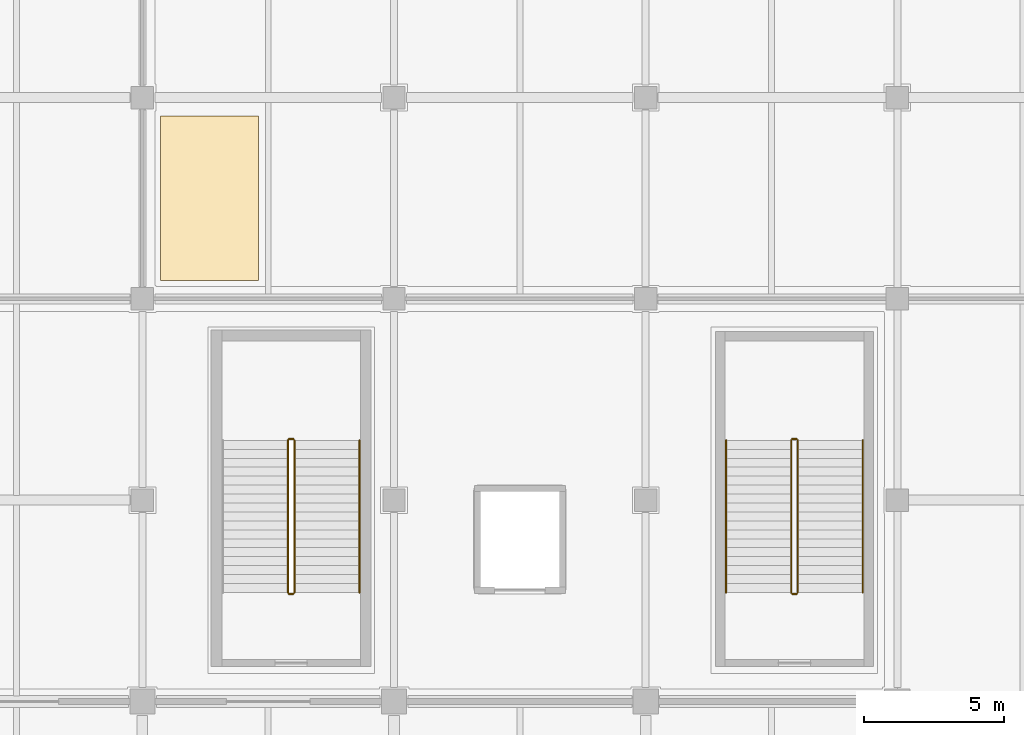
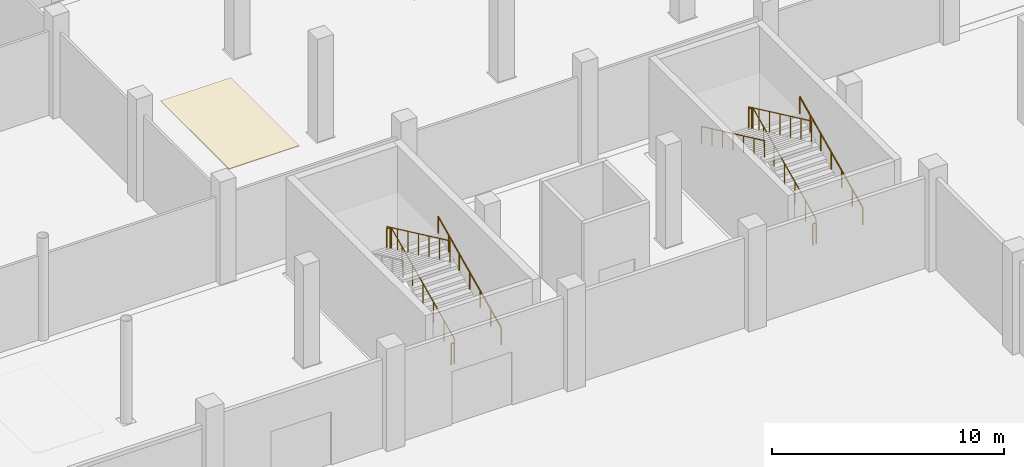
# One storey, part 113 of 137: 11 railings, 1 covering.
"""IFC4 building model written with IfcOpenShell, lengths in metres."""

from ifc_helpers import new_model, si_unit, direction, frame, origin, origin_2d, place, context, subcontext, project, spatial, polyline, circle, outline, extrude, material, layer, layer_set, type_object, element, save


model = new_model("IFC4")

# Units and contexts
model_context = context("Model", 3, precision=1e-05, world=origin(), true_north=direction((0.0, 1.0)))
body_context = subcontext(model_context, "Body", "Model", "MODEL_VIEW")
ifc_project = project(units=[si_unit("LENGTHUNIT", "METRE"), si_unit("AREAUNIT", "SQUARE_METRE"), si_unit("VOLUMEUNIT", "CUBIC_METRE"), si_unit("PLANEANGLEUNIT", "RADIAN"), si_unit("MASSUNIT", "GRAM", prefix="KILO")], contexts=[model_context])

# Site, building, storey
site_placement = place(None, origin())
site = spatial("IfcSite", under=ifc_project, at=site_placement, CompositionType="ELEMENT")
building_placement = place(site_placement, origin())
building = spatial("IfcBuilding", under=site, at=building_placement, Name="Celestram Park Convention Centre", CompositionType="ELEMENT")
storey_placement = place(building_placement, origin())
storey = spatial("IfcBuildingStorey", under=building, at=storey_placement, Name="L00", CompositionType="ELEMENT", Elevation=0.0)

# Covering
ifc_material_1 = material(Name="Perforated Acoustic Mineral-Fibre Baffle Ceiling", Category="gypsum")
ifc_layer_1 = layer(ifc_material_1, 0.0400390625)
ifc_layer_set_1 = layer_set([ifc_layer_1], Name="Perforated Acoustic Mineral-Fibre Baffle Ceiling")
covering_type = type_object("IfcCoveringType", Name="ARC-COV-CLG040", PredefinedType="CEILING", material=ifc_layer_set_1)
covering_placement = place(storey_placement, frame((0.0, 0.0, 5.080078125)))
element("IfcCovering", 1, at=covering_placement, inside=storey, type_object=covering_type, Name="Parkfront Espresso & Cafe Hall acoustic baffle ceiling", PredefinedType="CEILING", context=body_context, shape_type="SweptSolid", body=[
    extrude(outline(polyline([(99.64990234375, 123.050048828125), (103.14990234375, 123.050048828125), (103.14990234375, 128.949951171875), (99.64990234375, 128.949951171875), (99.64990234375, 123.050048828125)])), origin(), (0.0, 0.0, 1.0), 0.0400390625),
])

# Railings
ifc_material_2 = material(Name="Stainless Steel AISI 316L & Laminated Glass", Category="steel")
ifc_layer_2 = layer(ifc_material_2, 0.06005859375)
ifc_layer_set_2 = layer_set([ifc_layer_2], Name="Stainless Steel AISI 316L & Laminated Glass")
railing_type_1 = type_object("IfcRailingType", Name="ARC-RL-GRD1120", PredefinedType="GUARDRAIL", material=ifc_layer_set_2)
railing_1_placement = place(storey_placement, frame((104.43603515625, 111.89990234375, 0.14990234375)))
element("IfcRailing", 2, at=railing_1_placement, inside=storey, type_object=railing_type_1, Name="L00 ST-03 stair guard 1", PredefinedType="GUARDRAIL", context=body_context, shape_type="SweptSolid", body=[
    extrude(circle(Radius=0.02392578125, at=origin_2d()), frame((0.0, 0.0, 1.09619140625), z_axis=(0.0, 0.905461375974, 0.424428670827), x_axis=(-1.0, 0.0, 0.0)), (0.0, 0.0, 1.0), 6.00830078125),
    extrude(circle(Radius=0.02099609375, at=origin_2d()), origin(), (0.0, 0.0, 1.0), 1.072021484375),
    extrude(circle(Radius=0.02099609375, at=origin_2d()), frame((0.0, 0.90673828125, 0.425048828125)), (0.0, 0.0, 1.0), 1.072021484375),
    extrude(circle(Radius=0.02099609375, at=origin_2d()), frame((0.0, 1.8134765625, 0.85009765625)), (0.0, 0.0, 1.0), 1.072021484375),
    extrude(circle(Radius=0.02099609375, at=origin_2d()), frame((0.0, 2.72021484375, 1.27490234375)), (0.0, 0.0, 1.0), 1.072021484375),
    extrude(circle(Radius=0.02099609375, at=origin_2d()), frame((0.0, 3.626708984375, 1.699951171875)), (0.0, 0.0, 1.0), 1.072021484375),
    extrude(circle(Radius=0.02099609375, at=origin_2d()), frame((0.0, 4.533447265625, 2.125)), (0.0, 0.0, 1.0), 1.072021484375),
    extrude(circle(Radius=0.02099609375, at=origin_2d()), frame((0.0, 5.440185546875, 2.550048828125)), (0.0, 0.0, 1.0), 1.072021484375),
])
railing_2_placement = place(storey_placement, frame((104.39990234375, 117.389892578125, 2.699951171875)))
element("IfcRailing", 3, at=railing_2_placement, inside=storey, type_object=railing_type_1, Name="L00 ST-03 stair guard 2", PredefinedType="GUARDRAIL", context=body_context, shape_type="SweptSolid", body=[
    extrude(circle(Radius=0.02392578125, at=origin_2d()), frame((0.0, 0.0, 1.09619140625), z_axis=(-1.0, 0.0, 0.0), x_axis=(0.0, -1.0, 0.0)), (0.0, 0.0, 1.0), 0.159912109375),
    extrude(circle(Radius=0.02099609375, at=origin_2d()), origin(), (0.0, 0.0, 1.0), 1.072021484375),
    extrude(circle(Radius=0.02099609375, at=origin_2d()), frame((-0.159912109375, 0.0, 0.0)), (0.0, 0.0, 1.0), 1.072021484375),
])
railing_3_placement = place(storey_placement, frame((104.2041015625, 117.340087890625, 2.85009765625)))
element("IfcRailing", 4, at=railing_3_placement, inside=storey, type_object=railing_type_1, Name="L00 ST-03 stair guard 3", PredefinedType="GUARDRAIL", context=body_context, shape_type="SweptSolid", body=[
    extrude(circle(Radius=0.02392578125, at=origin_2d()), frame((0.0, 0.0, 1.09619140625), z_axis=(0.0, -0.90547699167, 0.424395355248), x_axis=(1.0, 0.0, 0.0)), (0.0, 0.0, 1.0), 6.008056640625),
    extrude(circle(Radius=0.02099609375, at=origin_2d()), origin(), (0.0, 0.0, 1.0), 1.072021484375),
    extrude(circle(Radius=0.02099609375, at=origin_2d()), frame((0.0, -0.90673828125, 0.425048828125)), (0.0, 0.0, 1.0), 1.072021484375),
    extrude(circle(Radius=0.02099609375, at=origin_2d()), frame((0.0, -1.8134765625, 0.849853515625)), (0.0, 0.0, 1.0), 1.072021484375),
    extrude(circle(Radius=0.02099609375, at=origin_2d()), frame((0.0, -2.72021484375, 1.27490234375)), (0.0, 0.0, 1.0), 1.072021484375),
    extrude(circle(Radius=0.02099609375, at=origin_2d()), frame((0.0, -3.626708984375, 1.699951171875)), (0.0, 0.0, 1.0), 1.072021484375),
    extrude(circle(Radius=0.02099609375, at=origin_2d()), frame((0.0, -4.533447265625, 2.124755859375)), (0.0, 0.0, 1.0), 1.072021484375),
    extrude(circle(Radius=0.02099609375, at=origin_2d()), frame((0.0, -5.440185546875, 2.5498046875)), (0.0, 0.0, 1.0), 1.072021484375),
])
railing_4_placement = place(storey_placement, frame((104.39990234375, 111.85009765625, 0.0)))
element("IfcRailing", 5, at=railing_4_placement, inside=storey, type_object=railing_type_1, Name="L00 ST-03 stair guard 4", PredefinedType="GUARDRAIL", context=body_context, shape_type="SweptSolid", body=[
    extrude(circle(Radius=0.02392578125, at=origin_2d()), frame((0.0, 0.0, 1.09619140625), z_axis=(-1.0, 0.0, 0.0), x_axis=(0.0, -1.0, 0.0)), (0.0, 0.0, 1.0), 0.159912109375),
    extrude(circle(Radius=0.02099609375, at=origin_2d()), origin(), (0.0, 0.0, 1.0), 1.072021484375),
    extrude(circle(Radius=0.02099609375, at=origin_2d()), frame((-0.159912109375, 0.0, 0.0)), (0.0, 0.0, 1.0), 1.072021484375),
])
railing_5_placement = place(storey_placement, frame((122.43603515625, 111.89990234375, 0.14990234375)))
element("IfcRailing", 6, at=railing_5_placement, inside=storey, type_object=railing_type_1, Name="L00 ST-20 stair guard 1", PredefinedType="GUARDRAIL", context=body_context, shape_type="SweptSolid", body=[
    extrude(circle(Radius=0.02392578125, at=origin_2d()), frame((0.0, 0.0, 1.09619140625), z_axis=(0.0, 0.905461375974, 0.424428670827), x_axis=(-1.0, 0.0, 0.0)), (0.0, 0.0, 1.0), 6.00830078125),
    extrude(circle(Radius=0.02099609375, at=origin_2d()), origin(), (0.0, 0.0, 1.0), 1.072021484375),
    extrude(circle(Radius=0.02099609375, at=origin_2d()), frame((0.0, 0.90673828125, 0.425048828125)), (0.0, 0.0, 1.0), 1.072021484375),
    extrude(circle(Radius=0.02099609375, at=origin_2d()), frame((0.0, 1.8134765625, 0.85009765625)), (0.0, 0.0, 1.0), 1.072021484375),
    extrude(circle(Radius=0.02099609375, at=origin_2d()), frame((0.0, 2.72021484375, 1.27490234375)), (0.0, 0.0, 1.0), 1.072021484375),
    extrude(circle(Radius=0.02099609375, at=origin_2d()), frame((0.0, 3.626708984375, 1.699951171875)), (0.0, 0.0, 1.0), 1.072021484375),
    extrude(circle(Radius=0.02099609375, at=origin_2d()), frame((0.0, 4.533447265625, 2.125)), (0.0, 0.0, 1.0), 1.072021484375),
    extrude(circle(Radius=0.02099609375, at=origin_2d()), frame((0.0, 5.440185546875, 2.550048828125)), (0.0, 0.0, 1.0), 1.072021484375),
])
railing_6_placement = place(storey_placement, frame((122.39990234375, 117.389892578125, 2.699951171875)))
element("IfcRailing", 7, at=railing_6_placement, inside=storey, type_object=railing_type_1, Name="L00 ST-20 stair guard 2", PredefinedType="GUARDRAIL", context=body_context, shape_type="SweptSolid", body=[
    extrude(circle(Radius=0.02392578125, at=origin_2d()), frame((0.0, 0.0, 1.09619140625), z_axis=(-1.0, 0.0, 0.0), x_axis=(0.0, -1.0, 0.0)), (0.0, 0.0, 1.0), 0.159912109375),
    extrude(circle(Radius=0.02099609375, at=origin_2d()), origin(), (0.0, 0.0, 1.0), 1.072021484375),
    extrude(circle(Radius=0.02099609375, at=origin_2d()), frame((-0.159912109375, 0.0, 0.0)), (0.0, 0.0, 1.0), 1.072021484375),
])
railing_7_placement = place(storey_placement, frame((122.2041015625, 117.340087890625, 2.85009765625)))
element("IfcRailing", 8, at=railing_7_placement, inside=storey, type_object=railing_type_1, Name="L00 ST-20 stair guard 3", PredefinedType="GUARDRAIL", context=body_context, shape_type="SweptSolid", body=[
    extrude(circle(Radius=0.02392578125, at=origin_2d()), frame((0.0, 0.0, 1.09619140625), z_axis=(0.0, -0.90547699167, 0.424395355248), x_axis=(1.0, 0.0, 0.0)), (0.0, 0.0, 1.0), 6.008056640625),
    extrude(circle(Radius=0.02099609375, at=origin_2d()), origin(), (0.0, 0.0, 1.0), 1.072021484375),
    extrude(circle(Radius=0.02099609375, at=origin_2d()), frame((0.0, -0.90673828125, 0.425048828125)), (0.0, 0.0, 1.0), 1.072021484375),
    extrude(circle(Radius=0.02099609375, at=origin_2d()), frame((0.0, -1.8134765625, 0.849853515625)), (0.0, 0.0, 1.0), 1.072021484375),
    extrude(circle(Radius=0.02099609375, at=origin_2d()), frame((0.0, -2.72021484375, 1.27490234375)), (0.0, 0.0, 1.0), 1.072021484375),
    extrude(circle(Radius=0.02099609375, at=origin_2d()), frame((0.0, -3.626708984375, 1.699951171875)), (0.0, 0.0, 1.0), 1.072021484375),
    extrude(circle(Radius=0.02099609375, at=origin_2d()), frame((0.0, -4.533447265625, 2.124755859375)), (0.0, 0.0, 1.0), 1.072021484375),
    extrude(circle(Radius=0.02099609375, at=origin_2d()), frame((0.0, -5.440185546875, 2.5498046875)), (0.0, 0.0, 1.0), 1.072021484375),
])
railing_8_placement = place(storey_placement, frame((122.39990234375, 111.85009765625, 0.0)))
element("IfcRailing", 9, at=railing_8_placement, inside=storey, type_object=railing_type_1, Name="L00 ST-20 stair guard 4", PredefinedType="GUARDRAIL", context=body_context, shape_type="SweptSolid", body=[
    extrude(circle(Radius=0.02392578125, at=origin_2d()), frame((0.0, 0.0, 1.09619140625), z_axis=(-1.0, 0.0, 0.0), x_axis=(0.0, -1.0, 0.0)), (0.0, 0.0, 1.0), 0.159912109375),
    extrude(circle(Radius=0.02099609375, at=origin_2d()), origin(), (0.0, 0.0, 1.0), 1.072021484375),
    extrude(circle(Radius=0.02099609375, at=origin_2d()), frame((-0.159912109375, 0.0, 0.0)), (0.0, 0.0, 1.0), 1.072021484375),
])
ifc_material_3 = material(Name="Brushed Stainless Steel AISI 304", Category="steel")
ifc_layer_3 = layer(ifc_material_3, 0.048095703125)
ifc_layer_set_3 = layer_set([ifc_layer_3], Name="Brushed Stainless Steel AISI 304")
railing_type_2 = type_object("IfcRailingType", Name="ARC-RL-HND915", PredefinedType="HANDRAIL", material=ifc_layer_set_3)
for number, where, name in (
    (10, (106.763916015625, 111.89990234375, 0.14990234375), "L00 ST-03 stair handrail 1"),
    (11, (124.763916015625, 111.89990234375, 0.14990234375), "L00 ST-20 stair handrail 1"),
):
    element("IfcRailing", number, at=place(storey_placement, frame(where)), inside=storey, type_object=railing_type_2, Name=name, PredefinedType="HANDRAIL", context=body_context, shape_type="SweptSolid", body=[
        extrude(circle(Radius=0.02392578125, at=origin_2d()), frame((0.0, 0.0, 0.8759765625), z_axis=(0.0, 0.905461375974, 0.424428670827), x_axis=(-1.0, 0.0, 0.0)), (0.0, 0.0, 1.0), 6.00830078125),
        extrude(circle(Radius=0.02099609375, at=origin_2d()), origin(), (0.0, 0.0, 1.0), 0.851806640625),
        extrude(circle(Radius=0.02099609375, at=origin_2d()), frame((0.0, 0.90673828125, 0.425048828125)), (0.0, 0.0, 1.0), 0.851806640625),
        extrude(circle(Radius=0.02099609375, at=origin_2d()), frame((0.0, 1.8134765625, 0.85009765625)), (0.0, 0.0, 1.0), 0.851806640625),
        extrude(circle(Radius=0.02099609375, at=origin_2d()), frame((0.0, 2.72021484375, 1.27490234375)), (0.0, 0.0, 1.0), 0.851806640625),
        extrude(circle(Radius=0.02099609375, at=origin_2d()), frame((0.0, 3.626708984375, 1.699951171875)), (0.0, 0.0, 1.0), 0.851806640625),
        extrude(circle(Radius=0.02099609375, at=origin_2d()), frame((0.0, 4.533447265625, 2.125)), (0.0, 0.0, 1.0), 0.851806640625),
        extrude(circle(Radius=0.02099609375, at=origin_2d()), frame((0.0, 5.440185546875, 2.550048828125)), (0.0, 0.0, 1.0), 0.851806640625),
    ])
railing_9_placement = place(storey_placement, frame((119.8759765625, 117.340087890625, 2.85009765625)))
element("IfcRailing", 12, at=railing_9_placement, inside=storey, type_object=railing_type_2, Name="L00 ST-20 stair handrail 2", PredefinedType="HANDRAIL", context=body_context, shape_type="SweptSolid", body=[
    extrude(circle(Radius=0.02392578125, at=origin_2d()), frame((0.0, 0.0, 0.8759765625), z_axis=(0.0, -0.90547699167, 0.424395355248), x_axis=(1.0, 0.0, 0.0)), (0.0, 0.0, 1.0), 6.008056640625),
    extrude(circle(Radius=0.02099609375, at=origin_2d()), origin(), (0.0, 0.0, 1.0), 0.851806640625),
    extrude(circle(Radius=0.02099609375, at=origin_2d()), frame((0.0, -0.90673828125, 0.425048828125)), (0.0, 0.0, 1.0), 0.851806640625),
    extrude(circle(Radius=0.02099609375, at=origin_2d()), frame((0.0, -1.8134765625, 0.849853515625)), (0.0, 0.0, 1.0), 0.851806640625),
    extrude(circle(Radius=0.02099609375, at=origin_2d()), frame((0.0, -2.72021484375, 1.27490234375)), (0.0, 0.0, 1.0), 0.851806640625),
    extrude(circle(Radius=0.02099609375, at=origin_2d()), frame((0.0, -3.626708984375, 1.699951171875)), (0.0, 0.0, 1.0), 0.851806640625),
    extrude(circle(Radius=0.02099609375, at=origin_2d()), frame((0.0, -4.533447265625, 2.124755859375)), (0.0, 0.0, 1.0), 0.851806640625),
    extrude(circle(Radius=0.02099609375, at=origin_2d()), frame((0.0, -5.440185546875, 2.5498046875)), (0.0, 0.0, 1.0), 0.851806640625),
])

save(model, "model.ifc")
